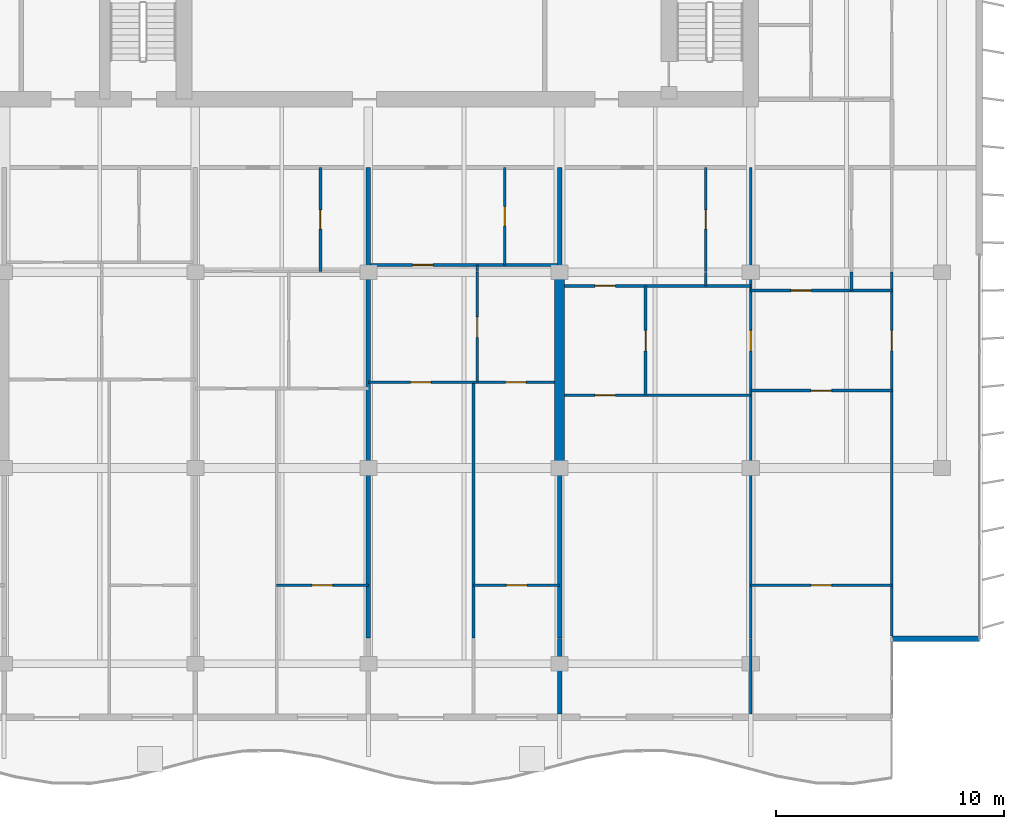
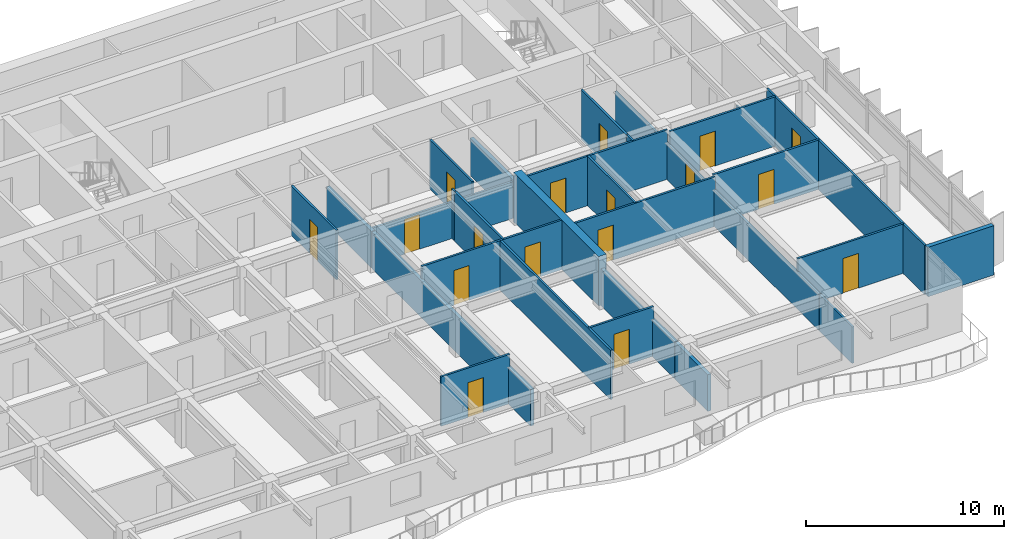
# One storey, part 8 of 16: 29 walls, 17 doors, 17 openings.
"""IFC4 building model written with IfcOpenShell, lengths in metres."""

from ifc_helpers import new_model, si_unit, direction, frame, frame_2d, origin, place, context, subcontext, project, spatial, rectangle, extrude, material, layer, layer_set, type_object, element, fill, save


model = new_model("IFC4")

# Units and contexts
model_context = context("Model", 3, precision=1e-05, world=origin(), true_north=direction((0.0, 1.0)))
body_context = subcontext(model_context, "Body", "Model", "MODEL_VIEW")
ifc_project = project(units=[si_unit("LENGTHUNIT", "METRE"), si_unit("AREAUNIT", "SQUARE_METRE"), si_unit("VOLUMEUNIT", "CUBIC_METRE"), si_unit("PLANEANGLEUNIT", "RADIAN"), si_unit("MASSUNIT", "GRAM", prefix="KILO")], contexts=[model_context])

# Site, building, storey
site_placement = place(None, origin())
site = spatial("IfcSite", under=ifc_project, at=site_placement, CompositionType="ELEMENT")
building_placement = place(site_placement, origin())
building = spatial("IfcBuilding", under=site, at=building_placement, Name="Caelmar Bay Residences", CompositionType="ELEMENT")
storey_placement = place(building_placement, frame((0.0, 0.0, 239.699951171875)))
storey = spatial("IfcBuildingStorey", under=building, at=storey_placement, Name="L67", CompositionType="ELEMENT", Elevation=239.699951171875)

# Walls
ifc_material_1 = material(Name="Concrete f'c 55 MPa (8,000 psi)", Category="concrete")
ifc_layer_1 = layer(ifc_material_1, 0.449951171875)
ifc_layer_set_1 = layer_set([ifc_layer_1], Name="Concrete f'c 55 MPa (8,000 psi)")
wall_type_1 = type_object("IfcWallType", Name="SW-XSLB-450", PredefinedType="SHEAR", material=ifc_layer_set_1)
wall_1_placement = place(storey_placement, frame((51.10009765625, 20.800048828125, 0.0), z_axis=(0.0, 0.0, 1.0), x_axis=(0.0, 1.0, 0.0)))
element("IfcWall", 1, at=wall_1_placement, inside=storey, type_object=wall_type_1, Name="L67 Transverse Cross-Slab Shear Wall E8", PredefinedType="SHEAR", context=body_context, shape_type="SweptSolid", body=[
    extrude(rectangle(XDim=8.599853515625, YDim=0.449951171875, at=frame_2d((4.2998046875, 0.0))), origin(), (0.0, 0.0, 1.0), 3.050048828125),
])
ifc_material_2 = material(Name="Precast concrete f'c 40 MPa (6,000 psi)", Category="concrete")
ifc_layer_2 = layer(ifc_material_2, 0.25)
ifc_layer_set_2 = layer_set([ifc_layer_2], Name="Precast concrete f'c 40 MPa (6,000 psi)")
wall_type_2 = type_object("IfcWallType", Name="W-EXT-250", PredefinedType="ELEMENTEDWALL", material=ifc_layer_set_2)
wall_2_placement = place(storey_placement, frame((65.699951171875, 13.300048828125, 0.0), z_axis=(0.0, 0.0, 1.0), x_axis=(1.0, 0.0, 0.0)))
element("IfcWall", 2, at=wall_2_placement, inside=storey, type_object=wall_type_2, Name="L67 SE Notch Return Wall", PredefinedType="ELEMENTEDWALL", context=body_context, shape_type="SweptSolid", body=[
    extrude(rectangle(XDim=3.85009765625, YDim=0.25, at=frame_2d((1.925048828125, 0.0))), origin(), (0.0, 0.0, 1.0), 3.050048828125),
])

# Wall, opening, door
ifc_material_3 = material(Name="Acoustic metal-stud gypsum partition 120 mm")
ifc_layer_3 = layer(ifc_material_3, 0.1201171875)
ifc_layer_set_3 = layer_set([ifc_layer_3], Name="Acoustic metal-stud gypsum partition 120 mm")
wall_type_3 = type_object("IfcWallType", Name="W-PRT-120", PredefinedType="PARTITIONING", material=ifc_layer_set_3)
wall_3_placement = place(storey_placement, frame((40.594970703125, 29.43994140625, 0.0), z_axis=(0.0, 0.0, 1.0), x_axis=(0.0, 1.0, 0.0)))
wall_3 = element("IfcWall", 3, at=wall_3_placement, inside=storey, type_object=wall_type_3, Name="L67 Partition Wall V032", PredefinedType="PARTITIONING", context=body_context, shape_type="SweptSolid", body=[
    extrude(rectangle(XDim=4.56005859375, YDim=0.1201171875, at=frame_2d((2.280029296875, 0.0))), origin(), (0.0, 0.0, 1.0), 3.050048828125),
])
opening_1_placement = place(wall_3_placement, frame((1.85498046875, 0.0, 0.0)))
opening_1 = element("IfcOpeningElement", 4, at=opening_1_placement, cuts=wall_3, Name="Opening D-L67-137", PredefinedType="OPENING", context=body_context, shape_type="SweptSolid", body=[
    extrude(rectangle(XDim=0.85009765625, YDim=2.10009765625, at=frame_2d((0.425048828125, 1.050048828125))), frame((0.0, 0.070068359375, 0.0), z_axis=(0.0, -1.0, 0.0), x_axis=(1.0, 0.0, 0.0)), (0.0, 0.0, 1.0), 0.14013671875),
])
ifc_material_4 = material(Name="Solid walnut timber interior door leaf and frame", Category="wood")
ifc_layer_4 = layer(ifc_material_4, 0.050048828125)
ifc_layer_set_4 = layer_set([ifc_layer_4], Name="Solid walnut timber interior door leaf and frame")
door_type_1 = type_object("IfcDoorType", Name="D-BATH-850", OperationType="NOTDEFINED", PredefinedType="DOOR", material=ifc_layer_set_4)
door_1_placement = place(opening_1_placement, origin())
door_1 = element("IfcDoor", 5, at=door_1_placement, inside=storey, type_object=door_type_1, Name="L67 Residence 03 Bathroom Door", OperationType="SINGLE_SWING_RIGHT", OverallHeight=2.10009765625, OverallWidth=0.85009765625, PredefinedType="DOOR", context=body_context, shape_type="SweptSolid", body=[
    extrude(rectangle(XDim=0.85009765625, YDim=2.10009765625, at=frame_2d((0.425048828125, 1.050048828125))), frame((0.0, 0.02490234375, 0.0), z_axis=(0.0, -1.0, 0.0), x_axis=(1.0, 0.0, 0.0)), (0.0, 0.0, 1.0), 0.050048828125),
])
fill(opening_1, door_1)

# Wall
wall_4_placement = place(storey_placement, frame((47.320068359375, 13.340087890625, 0.0), z_axis=(0.0, 0.0, 1.0), x_axis=(0.0, 1.0, 0.0)))
element("IfcWall", 6, at=wall_4_placement, inside=storey, type_object=wall_type_3, Name="L67 Partition Wall V038", PredefinedType="PARTITIONING", context=body_context, shape_type="SweptSolid", body=[
    extrude(rectangle(XDim=11.22998046875, YDim=0.1201171875, at=frame_2d((5.614990234375, 0.0))), origin(), (0.0, 0.0, 1.0), 3.050048828125),
])

# Wall, opening, door
wall_5_placement = place(storey_placement, frame((47.486083984375, 24.574951171875, 0.0), z_axis=(0.0, 0.0, 1.0), x_axis=(0.0, 1.0, 0.0)))
wall_5 = element("IfcWall", 7, at=wall_5_placement, inside=storey, type_object=wall_type_3, Name="L67 Partition Wall V039", PredefinedType="PARTITIONING", context=body_context, shape_type="SweptSolid", body=[
    extrude(rectangle(XDim=4.824951171875, YDim=0.1201171875, at=frame_2d((2.41259765625, 0.0))), origin(), (0.0, 0.0, 1.0), 3.050048828125),
])
opening_2_placement = place(wall_5_placement, frame((1.96240234375, 0.0, 0.0)))
opening_2 = element("IfcOpeningElement", 8, at=opening_2_placement, cuts=wall_5, Name="Opening D-L67-146", PredefinedType="OPENING", context=body_context, shape_type="SweptSolid", body=[
    extrude(rectangle(XDim=0.89990234375, YDim=2.14990234375, at=frame_2d((0.449951171875, 1.074951171875))), frame((0.0, 0.070068359375, 0.0), z_axis=(0.0, -1.0, 0.0), x_axis=(1.0, 0.0, 0.0)), (0.0, 0.0, 1.0), 0.14013671875),
])
ifc_layer_5 = layer(ifc_material_4, 0.050048828125)
ifc_layer_set_5 = layer_set([ifc_layer_5], Name="Solid walnut timber interior door leaf and frame")
door_type_2 = type_object("IfcDoorType", Name="D-ROOM-900", OperationType="NOTDEFINED", PredefinedType="DOOR", material=ifc_layer_set_5)
door_2_placement = place(opening_2_placement, origin())
door_2 = element("IfcDoor", 9, at=door_2_placement, inside=storey, type_object=door_type_2, Name="L67 Residence 04 Home Office Door", OperationType="SINGLE_SWING_LEFT", OverallHeight=2.14990234375, OverallWidth=0.89990234375, PredefinedType="DOOR", context=body_context, shape_type="SweptSolid", body=[
    extrude(rectangle(XDim=0.89990234375, YDim=2.14990234375, at=frame_2d((0.449951171875, 1.074951171875))), frame((0.0, 0.02490234375, 0.0), z_axis=(0.0, -1.0, 0.0), x_axis=(1.0, 0.0, 0.0)), (0.0, 0.0, 1.0), 0.050048828125),
])
fill(opening_2, door_2)

# Wall
wall_6_placement = place(storey_placement, frame((47.486083984375, 29.43994140625, 0.0), z_axis=(0.0, 0.0, 1.0), x_axis=(0.0, 1.0, 0.0)))
element("IfcWall", 10, at=wall_6_placement, inside=storey, type_object=wall_type_3, Name="L67 Partition Wall V040", PredefinedType="PARTITIONING", context=body_context, shape_type="SweptSolid", body=[
    extrude(rectangle(XDim=0.280029296875, YDim=0.1201171875, at=frame_2d((0.14013671875, 0.0))), origin(), (0.0, 0.0, 1.0), 3.050048828125),
])

# Wall, opening, door
wall_7_placement = place(storey_placement, frame((48.693115234375, 29.719970703125, 0.0), z_axis=(0.0, 0.0, 1.0), x_axis=(0.0, 1.0, 0.0)))
wall_7 = element("IfcWall", 11, at=wall_7_placement, inside=storey, type_object=wall_type_3, Name="L67 Partition Wall V042", PredefinedType="PARTITIONING", context=body_context, shape_type="SweptSolid", body=[
    extrude(rectangle(XDim=4.280029296875, YDim=0.1201171875, at=frame_2d((2.14013671875, 0.0))), origin(), (0.0, 0.0, 1.0), 3.050048828125),
])
opening_3_placement = place(wall_7_placement, frame((1.715087890625, 0.0, 0.0)))
opening_3 = element("IfcOpeningElement", 12, at=opening_3_placement, cuts=wall_7, Name="Opening D-L67-144", PredefinedType="OPENING", context=body_context, shape_type="SweptSolid", body=[
    extrude(rectangle(XDim=0.85009765625, YDim=2.10009765625, at=frame_2d((0.425048828125, 1.050048828125))), frame((0.0, 0.070068359375, 0.0), z_axis=(0.0, -1.0, 0.0), x_axis=(1.0, 0.0, 0.0)), (0.0, 0.0, 1.0), 0.14013671875),
])
door_3_placement = place(opening_3_placement, origin())
door_3 = element("IfcDoor", 13, at=door_3_placement, inside=storey, type_object=door_type_1, Name="L67 Residence 04 Bathroom Door", OperationType="SINGLE_SWING_LEFT", OverallHeight=2.10009765625, OverallWidth=0.85009765625, PredefinedType="DOOR", context=body_context, shape_type="SweptSolid", body=[
    extrude(rectangle(XDim=0.85009765625, YDim=2.10009765625, at=frame_2d((0.425048828125, 1.050048828125))), frame((0.0, 0.02490234375, 0.0), z_axis=(0.0, -1.0, 0.0), x_axis=(1.0, 0.0, 0.0)), (0.0, 0.0, 1.0), 0.050048828125),
])
fill(opening_3, door_3)

wall_8_placement = place(storey_placement, frame((54.8798828125, 24.0, 0.0), z_axis=(0.0, 0.0, 1.0), x_axis=(0.0, 1.0, 0.0)))
wall_8 = element("IfcWall", 14, at=wall_8_placement, inside=storey, type_object=wall_type_3, Name="L67 Partition Wall V049", PredefinedType="PARTITIONING", context=body_context, shape_type="SweptSolid", body=[
    extrude(rectangle(XDim=4.800048828125, YDim=0.1201171875, at=frame_2d((2.39990234375, 0.0))), origin(), (0.0, 0.0, 1.0), 3.050048828125),
])
opening_4_placement = place(wall_8_placement, frame((1.949951171875, 0.0, 0.0)))
opening_4 = element("IfcOpeningElement", 15, at=opening_4_placement, cuts=wall_8, Name="Opening D-L67-153", PredefinedType="OPENING", context=body_context, shape_type="SweptSolid", body=[
    extrude(rectangle(XDim=0.89990234375, YDim=2.14990234375, at=frame_2d((0.449951171875, 1.074951171875))), frame((0.0, 0.070068359375, 0.0), z_axis=(0.0, -1.0, 0.0), x_axis=(1.0, 0.0, 0.0)), (0.0, 0.0, 1.0), 0.14013671875),
])
door_4_placement = place(opening_4_placement, origin())
door_4 = element("IfcDoor", 16, at=door_4_placement, inside=storey, type_object=door_type_2, Name="L67 Residence 05 Kitchen Door", OperationType="SINGLE_SWING_RIGHT", OverallHeight=2.14990234375, OverallWidth=0.89990234375, PredefinedType="DOOR", context=body_context, shape_type="SweptSolid", body=[
    extrude(rectangle(XDim=0.89990234375, YDim=2.14990234375, at=frame_2d((0.449951171875, 1.074951171875))), frame((0.0, 0.02490234375, 0.0), z_axis=(0.0, -1.0, 0.0), x_axis=(1.0, 0.0, 0.0)), (0.0, 0.0, 1.0), 0.050048828125),
])
fill(opening_4, door_4)

# Wall
wall_9_placement = place(storey_placement, frame((57.51904296875, 28.800048828125, 0.0), z_axis=(0.0, 0.0, 1.0), x_axis=(0.0, 1.0, 0.0)))
element("IfcWall", 17, at=wall_9_placement, inside=storey, type_object=wall_type_3, Name="L67 Partition Wall V051", PredefinedType="PARTITIONING", context=body_context, shape_type="SweptSolid", body=[
    extrude(rectangle(XDim=0.599853515625, YDim=0.1201171875, at=frame_2d((0.2998046875, 0.0))), origin(), (0.0, 0.0, 1.0), 3.050048828125),
])

# Wall, opening, door
wall_10_placement = place(storey_placement, frame((57.51904296875, 29.43994140625, 0.0), z_axis=(0.0, 0.0, 1.0), x_axis=(0.0, 1.0, 0.0)))
wall_10 = element("IfcWall", 18, at=wall_10_placement, inside=storey, type_object=wall_type_3, Name="L67 Partition Wall V052", PredefinedType="PARTITIONING", context=body_context, shape_type="SweptSolid", body=[
    extrude(rectangle(XDim=4.56005859375, YDim=0.1201171875, at=frame_2d((2.280029296875, 0.0))), origin(), (0.0, 0.0, 1.0), 3.050048828125),
])
opening_5_placement = place(wall_10_placement, frame((1.85498046875, 0.0, 0.0)))
opening_5 = element("IfcOpeningElement", 19, at=opening_5_placement, cuts=wall_10, Name="Opening D-L67-151", PredefinedType="OPENING", context=body_context, shape_type="SweptSolid", body=[
    extrude(rectangle(XDim=0.85009765625, YDim=2.10009765625, at=frame_2d((0.425048828125, 1.050048828125))), frame((0.0, 0.070068359375, 0.0), z_axis=(0.0, -1.0, 0.0), x_axis=(1.0, 0.0, 0.0)), (0.0, 0.0, 1.0), 0.14013671875),
])
door_5_placement = place(opening_5_placement, origin())
door_5 = element("IfcDoor", 20, at=door_5_placement, inside=storey, type_object=door_type_1, Name="L67 Residence 05 Guest Bathroom Door", OperationType="SINGLE_SWING_RIGHT", OverallHeight=2.10009765625, OverallWidth=0.85009765625, PredefinedType="DOOR", context=body_context, shape_type="SweptSolid", body=[
    extrude(rectangle(XDim=0.85009765625, YDim=2.10009765625, at=frame_2d((0.425048828125, 1.050048828125))), frame((0.0, 0.02490234375, 0.0), z_axis=(0.0, -1.0, 0.0), x_axis=(1.0, 0.0, 0.0)), (0.0, 0.0, 1.0), 0.050048828125),
])
fill(opening_5, door_5)

# Wall
wall_11_placement = place(storey_placement, frame((59.5, 9.9951171875, 0.0), z_axis=(0.0, 0.0, 1.0), x_axis=(0.0, 1.0, 0.0)))
element("IfcWall", 21, at=wall_11_placement, inside=storey, type_object=wall_type_3, Name="L67 Partition Wall V053", PredefinedType="PARTITIONING", context=body_context, shape_type="SweptSolid", body=[
    extrude(rectangle(XDim=3.304931640625, YDim=0.1201171875, at=frame_2d((1.65234375, 0.0))), origin(), (0.0, 0.0, 1.0), 2.262939453125),
])

# Wall, opening, door
wall_12_placement = place(storey_placement, frame((59.5, 13.340087890625, 0.0), z_axis=(0.0, 0.0, 1.0), x_axis=(0.0, 1.0, 0.0)))
wall_12 = element("IfcWall", 22, at=wall_12_placement, inside=storey, type_object=wall_type_3, Name="L67 Partition Wall V054", PredefinedType="PARTITIONING", context=body_context, shape_type="SweptSolid", body=[
    extrude(rectangle(XDim=16.059814453125, YDim=0.1201171875, at=frame_2d((8.02978515625, 0.0))), origin(), (0.0, 0.0, 1.0), 2.262939453125),
])
opening_6_placement = place(wall_12_placement, frame((12.610107421875, 0.0, 0.0)))
opening_6 = element("IfcOpeningElement", 23, at=opening_6_placement, cuts=wall_12, Name="Opening D-L67-155", PredefinedType="OPENING", context=body_context, shape_type="SweptSolid", body=[
    extrude(rectangle(XDim=0.89990234375, YDim=2.14990234375, at=frame_2d((0.449951171875, 1.074951171875))), frame((0.0, 0.070068359375, 0.0), z_axis=(0.0, -1.0, 0.0), x_axis=(1.0, 0.0, 0.0)), (0.0, 0.0, 1.0), 0.14013671875),
])
door_6_placement = place(opening_6_placement, origin())
door_6 = element("IfcDoor", 24, at=door_6_placement, inside=storey, type_object=door_type_2, Name="L67 Residence 05 Library Study 1 Door", OperationType="SINGLE_SWING_RIGHT", OverallHeight=2.14990234375, OverallWidth=0.89990234375, PredefinedType="DOOR", context=body_context, shape_type="SweptSolid", body=[
    extrude(rectangle(XDim=0.89990234375, YDim=2.14990234375, at=frame_2d((0.449951171875, 1.074951171875))), frame((0.0, 0.02490234375, 0.0), z_axis=(0.0, -1.0, 0.0), x_axis=(1.0, 0.0, 0.0)), (0.0, 0.0, 1.0), 0.050048828125),
])
fill(opening_6, door_6)

# Walls
wall_13_placement = place(storey_placement, frame((59.5, 29.43994140625, 0.0), z_axis=(0.0, 0.0, 1.0), x_axis=(0.0, 1.0, 0.0)))
element("IfcWall", 25, at=wall_13_placement, inside=storey, type_object=wall_type_3, Name="L67 Partition Wall V055", PredefinedType="PARTITIONING", context=body_context, shape_type="SweptSolid", body=[
    extrude(rectangle(XDim=4.56005859375, YDim=0.1201171875, at=frame_2d((2.280029296875, 0.0))), origin(), (0.0, 0.0, 1.0), 2.262939453125),
])
wall_14_placement = place(storey_placement, frame((63.922119140625, 28.60009765625, 0.0), z_axis=(0.0, 0.0, 1.0), x_axis=(0.0, 1.0, 0.0)))
element("IfcWall", 26, at=wall_14_placement, inside=storey, type_object=wall_type_3, Name="L67 Partition Wall V057", PredefinedType="PARTITIONING", context=body_context, shape_type="SweptSolid", body=[
    extrude(rectangle(XDim=0.7998046875, YDim=0.1201171875, at=frame_2d((0.39990234375, 0.0))), origin(), (0.0, 0.0, 1.0), 2.629150390625),
])

# Wall, opening, door
wall_15_placement = place(storey_placement, frame((65.699951171875, 13.419921875, 0.0), z_axis=(0.0, 0.0, 1.0), x_axis=(0.0, 1.0, 0.0)))
wall_15 = element("IfcWall", 27, at=wall_15_placement, inside=storey, type_object=wall_type_3, Name="L67 Partition Wall V059", PredefinedType="PARTITIONING", context=body_context, shape_type="SweptSolid", body=[
    extrude(rectangle(XDim=15.97998046875, YDim=0.1201171875, at=frame_2d((7.989990234375, 0.0))), origin(), (0.0, 0.0, 1.0), 3.050048828125),
])
opening_7_placement = place(wall_15_placement, frame((12.530029296875, 0.0, 0.0)))
opening_7 = element("IfcOpeningElement", 28, at=opening_7_placement, cuts=wall_15, Name="Opening D-L67-161", PredefinedType="OPENING", context=body_context, shape_type="SweptSolid", body=[
    extrude(rectangle(XDim=0.89990234375, YDim=2.14990234375, at=frame_2d((0.449951171875, 1.074951171875))), frame((0.0, 0.070068359375, 0.0), z_axis=(0.0, -1.0, 0.0), x_axis=(1.0, 0.0, 0.0)), (0.0, 0.0, 1.0), 0.14013671875),
])
door_7_placement = place(opening_7_placement, origin())
door_7 = element("IfcDoor", 29, at=door_7_placement, inside=storey, type_object=door_type_2, Name="L67 Residence 05 Penthouse East Salon Door", OperationType="SINGLE_SWING_RIGHT", OverallHeight=2.14990234375, OverallWidth=0.89990234375, PredefinedType="DOOR", context=body_context, shape_type="SweptSolid", body=[
    extrude(rectangle(XDim=0.89990234375, YDim=2.14990234375, at=frame_2d((0.449951171875, 1.074951171875))), frame((0.0, 0.02490234375, 0.0), z_axis=(0.0, -1.0, 0.0), x_axis=(1.0, 0.0, 0.0)), (0.0, 0.0, 1.0), 0.050048828125),
])
fill(opening_7, door_7)

wall_16_placement = place(storey_placement, frame((38.672119140625, 15.64990234375, 0.0), z_axis=(0.0, 0.0, 1.0), x_axis=(1.0, 0.0, 0.0)))
wall_16 = element("IfcWall", 30, at=wall_16_placement, inside=storey, type_object=wall_type_3, Name="L67 Partition Wall H065", PredefinedType="PARTITIONING", context=body_context, shape_type="SweptSolid", body=[
    extrude(rectangle(XDim=4.02783203125, YDim=0.1201171875, at=frame_2d((2.013916015625, 0.0))), origin(), (0.0, 0.0, 1.0), 3.050048828125),
])
opening_8_placement = place(wall_16_placement, frame((1.56396484375, 0.0, 0.0)))
opening_8 = element("IfcOpeningElement", 31, at=opening_8_placement, cuts=wall_16, Name="Opening D-L67-142", PredefinedType="OPENING", context=body_context, shape_type="SweptSolid", body=[
    extrude(rectangle(XDim=0.89990234375, YDim=2.14990234375, at=frame_2d((0.449951171875, 1.074951171875))), frame((0.0, 0.070068359375, 0.0), z_axis=(0.0, -1.0, 0.0), x_axis=(1.0, 0.0, 0.0)), (0.0, 0.0, 1.0), 0.14013671875),
])
door_8_placement = place(opening_8_placement, origin())
door_8 = element("IfcDoor", 32, at=door_8_placement, inside=storey, type_object=door_type_2, Name="L67 Residence 03 Primary Bedroom Door", OperationType="SINGLE_SWING_LEFT", OverallHeight=2.14990234375, OverallWidth=0.89990234375, PredefinedType="DOOR", context=body_context, shape_type="SweptSolid", body=[
    extrude(rectangle(XDim=0.89990234375, YDim=2.14990234375, at=frame_2d((0.449951171875, 1.074951171875))), frame((0.0, 0.02490234375, 0.0), z_axis=(0.0, -1.0, 0.0), x_axis=(1.0, 0.0, 0.0)), (0.0, 0.0, 1.0), 0.050048828125),
])
fill(opening_8, door_8)

wall_17_placement = place(storey_placement, frame((47.320068359375, 15.64990234375, 0.0), z_axis=(0.0, 0.0, 1.0), x_axis=(1.0, 0.0, 0.0)))
wall_17 = element("IfcWall", 33, at=wall_17_placement, inside=storey, type_object=wall_type_3, Name="L67 Partition Wall H066", PredefinedType="PARTITIONING", context=body_context, shape_type="SweptSolid", body=[
    extrude(rectangle(XDim=3.780029296875, YDim=0.1201171875, at=frame_2d((1.89013671875, 0.0))), origin(), (0.0, 0.0, 1.0), 3.050048828125),
])
opening_9_placement = place(wall_17_placement, frame((1.43994140625, 0.0, 0.0)))
opening_9 = element("IfcOpeningElement", 34, at=opening_9_placement, cuts=wall_17, Name="Opening D-L67-149", PredefinedType="OPENING", context=body_context, shape_type="SweptSolid", body=[
    extrude(rectangle(XDim=0.89990234375, YDim=2.14990234375, at=frame_2d((0.449951171875, 1.074951171875))), frame((0.0, 0.070068359375, 0.0), z_axis=(0.0, -1.0, 0.0), x_axis=(1.0, 0.0, 0.0)), (0.0, 0.0, 1.0), 0.14013671875),
])
door_9_placement = place(opening_9_placement, origin())
door_9 = element("IfcDoor", 35, at=door_9_placement, inside=storey, type_object=door_type_2, Name="L67 Residence 04 Primary Bedroom Door", OperationType="SINGLE_SWING_RIGHT", OverallHeight=2.14990234375, OverallWidth=0.89990234375, PredefinedType="DOOR", context=body_context, shape_type="SweptSolid", body=[
    extrude(rectangle(XDim=0.89990234375, YDim=2.14990234375, at=frame_2d((0.449951171875, 1.074951171875))), frame((0.0, 0.02490234375, 0.0), z_axis=(0.0, -1.0, 0.0), x_axis=(1.0, 0.0, 0.0)), (0.0, 0.0, 1.0), 0.050048828125),
])
fill(opening_9, door_9)

wall_18_placement = place(storey_placement, frame((59.5, 15.64990234375, 0.0), z_axis=(0.0, 0.0, 1.0), x_axis=(1.0, 0.0, 0.0)))
wall_18 = element("IfcWall", 36, at=wall_18_placement, inside=storey, type_object=wall_type_3, Name="L67 Partition Wall H067", PredefinedType="PARTITIONING", context=body_context, shape_type="SweptSolid", body=[
    extrude(rectangle(XDim=6.199951171875, YDim=0.1201171875, at=frame_2d((3.10009765625, 0.0))), origin(), (0.0, 0.0, 1.0), 3.050048828125),
])
opening_10_placement = place(wall_18_placement, frame((2.64990234375, 0.0, 0.0)))
opening_10 = element("IfcOpeningElement", 37, at=opening_10_placement, cuts=wall_18, Name="Opening D-L67-159", PredefinedType="OPENING", context=body_context, shape_type="SweptSolid", body=[
    extrude(rectangle(XDim=0.89990234375, YDim=2.14990234375, at=frame_2d((0.449951171875, 1.074951171875))), frame((0.0, 0.070068359375, 0.0), z_axis=(0.0, -1.0, 0.0), x_axis=(1.0, 0.0, 0.0)), (0.0, 0.0, 1.0), 0.14013671875),
])
door_10_placement = place(opening_10_placement, origin())
door_10 = element("IfcDoor", 38, at=door_10_placement, inside=storey, type_object=door_type_2, Name="L67 Residence 05 Primary Bedroom 1 Door", OperationType="SINGLE_SWING_RIGHT", OverallHeight=2.14990234375, OverallWidth=0.89990234375, PredefinedType="DOOR", context=body_context, shape_type="SweptSolid", body=[
    extrude(rectangle(XDim=0.89990234375, YDim=2.14990234375, at=frame_2d((0.449951171875, 1.074951171875))), frame((0.0, 0.02490234375, 0.0), z_axis=(0.0, -1.0, 0.0), x_axis=(1.0, 0.0, 0.0)), (0.0, 0.0, 1.0), 0.050048828125),
])
fill(opening_10, door_10)

wall_19_placement = place(storey_placement, frame((51.320068359375, 24.0, 0.0), z_axis=(0.0, 0.0, 1.0), x_axis=(1.0, 0.0, 0.0)))
wall_19 = element("IfcWall", 39, at=wall_19_placement, inside=storey, type_object=wall_type_3, Name="L67 Partition Wall H069", PredefinedType="PARTITIONING", context=body_context, shape_type="SweptSolid", body=[
    extrude(rectangle(XDim=8.179931640625, YDim=0.1201171875, at=frame_2d((4.08984375, 0.0))), origin(), (0.0, 0.0, 1.0), 3.050048828125),
])
opening_11_placement = place(wall_19_placement, frame((1.330078125, 0.0, 0.0)))
opening_11 = element("IfcOpeningElement", 40, at=opening_11_placement, cuts=wall_19, Name="Opening D-L67-154", PredefinedType="OPENING", context=body_context, shape_type="SweptSolid", body=[
    extrude(rectangle(XDim=0.89990234375, YDim=2.14990234375, at=frame_2d((0.449951171875, 1.074951171875))), frame((0.0, 0.070068359375, 0.0), z_axis=(0.0, -1.0, 0.0), x_axis=(1.0, 0.0, 0.0)), (0.0, 0.0, 1.0), 0.14013671875),
])
door_11_placement = place(opening_11_placement, origin())
door_11 = element("IfcDoor", 41, at=door_11_placement, inside=storey, type_object=door_type_2, Name="L67 Residence 05 Penthouse Living Salon Door", OperationType="SINGLE_SWING_LEFT", OverallHeight=2.14990234375, OverallWidth=0.89990234375, PredefinedType="DOOR", context=body_context, shape_type="SweptSolid", body=[
    extrude(rectangle(XDim=0.89990234375, YDim=2.14990234375, at=frame_2d((0.449951171875, 1.074951171875))), frame((0.0, 0.02490234375, 0.0), z_axis=(0.0, -1.0, 0.0), x_axis=(1.0, 0.0, 0.0)), (0.0, 0.0, 1.0), 0.050048828125),
])
fill(opening_11, door_11)

wall_20_placement = place(storey_placement, frame((59.5048828125, 24.199951171875, 0.0), z_axis=(0.0, 0.0, 1.0), x_axis=(1.0, 0.0, 0.0)))
wall_20 = element("IfcWall", 42, at=wall_20_placement, inside=storey, type_object=wall_type_3, Name="L67 Partition Wall H071", PredefinedType="PARTITIONING", context=body_context, shape_type="SweptSolid", body=[
    extrude(rectangle(XDim=6.195068359375, YDim=0.1201171875, at=frame_2d((3.09765625, 0.0))), origin(), (0.0, 0.0, 1.0), 3.050048828125),
])
opening_12_placement = place(wall_20_placement, frame((2.6474609375, 0.0, 0.0)))
opening_12 = element("IfcOpeningElement", 43, at=opening_12_placement, cuts=wall_20, Name="Opening D-L67-158", PredefinedType="OPENING", context=body_context, shape_type="SweptSolid", body=[
    extrude(rectangle(XDim=0.89990234375, YDim=2.14990234375, at=frame_2d((0.449951171875, 1.074951171875))), frame((0.0, 0.070068359375, 0.0), z_axis=(0.0, -1.0, 0.0), x_axis=(1.0, 0.0, 0.0)), (0.0, 0.0, 1.0), 0.14013671875),
])
door_12_placement = place(opening_12_placement, origin())
door_12 = element("IfcDoor", 44, at=door_12_placement, inside=storey, type_object=door_type_2, Name="L67 Residence 05 Penthouse Sitting Salon 1 Door", OperationType="SINGLE_SWING_LEFT", OverallHeight=2.14990234375, OverallWidth=0.89990234375, PredefinedType="DOOR", context=body_context, shape_type="SweptSolid", body=[
    extrude(rectangle(XDim=0.89990234375, YDim=2.14990234375, at=frame_2d((0.449951171875, 1.074951171875))), frame((0.0, 0.02490234375, 0.0), z_axis=(0.0, -1.0, 0.0), x_axis=(1.0, 0.0, 0.0)), (0.0, 0.0, 1.0), 0.050048828125),
])
fill(opening_12, door_12)

# Wall, openings, doors
wall_21_placement = place(storey_placement, frame((42.699951171875, 24.570068359375, 0.0), z_axis=(0.0, 0.0, 1.0), x_axis=(1.0, 0.0, 0.0)))
wall_21 = element("IfcWall", 45, at=wall_21_placement, inside=storey, type_object=wall_type_3, Name="L67 Partition Wall H073", PredefinedType="PARTITIONING", context=body_context, shape_type="SweptSolid", body=[
    extrude(rectangle(XDim=8.179931640625, YDim=0.1201171875, at=frame_2d((4.08984375, 0.0))), origin(), (0.0, 0.0, 1.0), 3.050048828125),
])
opening_13_placement = place(wall_21_placement, frame((1.860107421875, 0.0, 0.0)))
opening_13 = element("IfcOpeningElement", 46, at=opening_13_placement, cuts=wall_21, Name="Opening D-L67-147", PredefinedType="OPENING", context=body_context, shape_type="SweptSolid", body=[
    extrude(rectangle(XDim=0.89990234375, YDim=2.14990234375, at=frame_2d((0.449951171875, 1.074951171875))), frame((0.0, 0.070068359375, 0.0), z_axis=(0.0, -1.0, 0.0), x_axis=(1.0, 0.0, 0.0)), (0.0, 0.0, 1.0), 0.14013671875),
])
opening_14_placement = place(wall_21_placement, frame((6.032958984375, 0.0, 0.0)))
opening_14 = element("IfcOpeningElement", 47, at=opening_14_placement, cuts=wall_21, Name="Opening D-L67-148", PredefinedType="OPENING", context=body_context, shape_type="SweptSolid", body=[
    extrude(rectangle(XDim=0.89990234375, YDim=2.14990234375, at=frame_2d((0.449951171875, 1.074951171875))), frame((0.0, 0.070068359375, 0.0), z_axis=(0.0, -1.0, 0.0), x_axis=(1.0, 0.0, 0.0)), (0.0, 0.0, 1.0), 0.14013671875),
])
door_13_placement = place(opening_13_placement, origin())
door_13 = element("IfcDoor", 48, at=door_13_placement, inside=storey, type_object=door_type_2, Name="L67 Residence 04 Living Room Door", OperationType="SINGLE_SWING_RIGHT", OverallHeight=2.14990234375, OverallWidth=0.89990234375, PredefinedType="DOOR", context=body_context, shape_type="SweptSolid", body=[
    extrude(rectangle(XDim=0.89990234375, YDim=2.14990234375, at=frame_2d((0.449951171875, 1.074951171875))), frame((0.0, 0.02490234375, 0.0), z_axis=(0.0, -1.0, 0.0), x_axis=(1.0, 0.0, 0.0)), (0.0, 0.0, 1.0), 0.050048828125),
])
fill(opening_13, door_13)
door_14_placement = place(opening_14_placement, origin())
door_14 = element("IfcDoor", 49, at=door_14_placement, inside=storey, type_object=door_type_2, Name="L67 Residence 04 Bedroom 2 Door", OperationType="SINGLE_SWING_LEFT", OverallHeight=2.14990234375, OverallWidth=0.89990234375, PredefinedType="DOOR", context=body_context, shape_type="SweptSolid", body=[
    extrude(rectangle(XDim=0.89990234375, YDim=2.14990234375, at=frame_2d((0.449951171875, 1.074951171875))), frame((0.0, 0.02490234375, 0.0), z_axis=(0.0, -1.0, 0.0), x_axis=(1.0, 0.0, 0.0)), (0.0, 0.0, 1.0), 0.050048828125),
])
fill(opening_14, door_14)

# Wall, opening, door
wall_22_placement = place(storey_placement, frame((59.5, 28.60009765625, 0.0), z_axis=(0.0, 0.0, 1.0), x_axis=(1.0, 0.0, 0.0)))
wall_22 = element("IfcWall", 50, at=wall_22_placement, inside=storey, type_object=wall_type_3, Name="L67 Partition Wall H076", PredefinedType="PARTITIONING", context=body_context, shape_type="SweptSolid", body=[
    extrude(rectangle(XDim=6.199951171875, YDim=0.1201171875, at=frame_2d((3.10009765625, 0.0))), origin(), (0.0, 0.0, 1.0), 3.050048828125),
])
opening_15_placement = place(wall_22_placement, frame((1.760986328125, 0.0, 0.0)))
opening_15 = element("IfcOpeningElement", 51, at=opening_15_placement, cuts=wall_22, Name="Opening D-L67-156", PredefinedType="OPENING", context=body_context, shape_type="SweptSolid", body=[
    extrude(rectangle(XDim=0.89990234375, YDim=2.14990234375, at=frame_2d((0.449951171875, 1.074951171875))), frame((0.0, 0.070068359375, 0.0), z_axis=(0.0, -1.0, 0.0), x_axis=(1.0, 0.0, 0.0)), (0.0, 0.0, 1.0), 0.14013671875),
])
door_15_placement = place(opening_15_placement, origin())
door_15 = element("IfcDoor", 52, at=door_15_placement, inside=storey, type_object=door_type_2, Name="L67 Residence 05 Home Office 1 Door", OperationType="SINGLE_SWING_LEFT", OverallHeight=2.14990234375, OverallWidth=0.89990234375, PredefinedType="DOOR", context=body_context, shape_type="SweptSolid", body=[
    extrude(rectangle(XDim=0.89990234375, YDim=2.14990234375, at=frame_2d((0.449951171875, 1.074951171875))), frame((0.0, 0.02490234375, 0.0), z_axis=(0.0, -1.0, 0.0), x_axis=(1.0, 0.0, 0.0)), (0.0, 0.0, 1.0), 0.050048828125),
])
fill(opening_15, door_15)

wall_23_placement = place(storey_placement, frame((51.320068359375, 28.800048828125, 0.0), z_axis=(0.0, 0.0, 1.0), x_axis=(1.0, 0.0, 0.0)))
wall_23 = element("IfcWall", 53, at=wall_23_placement, inside=storey, type_object=wall_type_3, Name="L67 Partition Wall H078", PredefinedType="PARTITIONING", context=body_context, shape_type="SweptSolid", body=[
    extrude(rectangle(XDim=8.175048828125, YDim=0.1201171875, at=frame_2d((4.08740234375, 0.0))), origin(), (0.0, 0.0, 1.0), 3.050048828125),
])
opening_16_placement = place(wall_23_placement, frame((1.330078125, 0.0, 0.0)))
opening_16 = element("IfcOpeningElement", 54, at=opening_16_placement, cuts=wall_23, Name="Opening D-L67-152", PredefinedType="OPENING", context=body_context, shape_type="SweptSolid", body=[
    extrude(rectangle(XDim=0.89990234375, YDim=2.14990234375, at=frame_2d((0.449951171875, 1.074951171875))), frame((0.0, 0.070068359375, 0.0), z_axis=(0.0, -1.0, 0.0), x_axis=(1.0, 0.0, 0.0)), (0.0, 0.0, 1.0), 0.14013671875),
])
door_16_placement = place(opening_16_placement, origin())
door_16 = element("IfcDoor", 55, at=door_16_placement, inside=storey, type_object=door_type_2, Name="L67 Residence 05 Dining Room Door", OperationType="SINGLE_SWING_LEFT", OverallHeight=2.14990234375, OverallWidth=0.89990234375, PredefinedType="DOOR", context=body_context, shape_type="SweptSolid", body=[
    extrude(rectangle(XDim=0.89990234375, YDim=2.14990234375, at=frame_2d((0.449951171875, 1.074951171875))), frame((0.0, 0.02490234375, 0.0), z_axis=(0.0, -1.0, 0.0), x_axis=(1.0, 0.0, 0.0)), (0.0, 0.0, 1.0), 0.050048828125),
])
fill(opening_16, door_16)

wall_24_placement = place(storey_placement, frame((42.699951171875, 29.719970703125, 0.0), z_axis=(0.0, 0.0, 1.0), x_axis=(1.0, 0.0, 0.0)))
wall_24 = element("IfcWall", 56, at=wall_24_placement, inside=storey, type_object=wall_type_3, Name="L67 Partition Wall H080", PredefinedType="PARTITIONING", context=body_context, shape_type="SweptSolid", body=[
    extrude(rectangle(XDim=8.400146484375, YDim=0.1201171875, at=frame_2d((4.2001953125, 0.0))), origin(), (0.0, 0.0, 1.0), 2.262939453125),
])
opening_17_placement = place(wall_24_placement, frame((1.943115234375, 0.0, 0.0)))
opening_17 = element("IfcOpeningElement", 57, at=opening_17_placement, cuts=wall_24, Name="Opening D-L67-145", PredefinedType="OPENING", context=body_context, shape_type="SweptSolid", body=[
    extrude(rectangle(XDim=0.89990234375, YDim=2.14990234375, at=frame_2d((0.449951171875, 1.074951171875))), frame((0.0, 0.070068359375, 0.0), z_axis=(0.0, -1.0, 0.0), x_axis=(1.0, 0.0, 0.0)), (0.0, 0.0, 1.0), 0.14013671875),
])
door_17_placement = place(opening_17_placement, origin())
door_17 = element("IfcDoor", 58, at=door_17_placement, inside=storey, type_object=door_type_2, Name="L67 Residence 04 Kitchen Door", OperationType="SINGLE_SWING_RIGHT", OverallHeight=2.14990234375, OverallWidth=0.89990234375, PredefinedType="DOOR", context=body_context, shape_type="SweptSolid", body=[
    extrude(rectangle(XDim=0.89990234375, YDim=2.14990234375, at=frame_2d((0.449951171875, 1.074951171875))), frame((0.0, 0.02490234375, 0.0), z_axis=(0.0, -1.0, 0.0), x_axis=(1.0, 0.0, 0.0)), (0.0, 0.0, 1.0), 0.050048828125),
])
fill(opening_17, door_17)

# Walls
ifc_material_5 = material(Name="Acoustic twin-stud fire-rated inter-tenancy partition 200 mm")
ifc_layer_6 = layer(ifc_material_5, 0.199951171875)
ifc_layer_set_6 = layer_set([ifc_layer_6], Name="Acoustic twin-stud fire-rated inter-tenancy partition 200 mm")
wall_type_4 = type_object("IfcWallType", Name="W-PTY-200", PredefinedType="PARTITIONING", material=ifc_layer_set_6)
wall_25_placement = place(storey_placement, frame((42.699951171875, 13.340087890625, 0.0), z_axis=(0.0, 0.0, 1.0), x_axis=(0.0, 1.0, 0.0)))
element("IfcWall", 59, at=wall_25_placement, inside=storey, type_object=wall_type_4, Name="L67 Partition Wall V035", PredefinedType="PARTITIONING", context=body_context, shape_type="SweptSolid", body=[
    extrude(rectangle(XDim=16.059814453125, YDim=0.199951171875, at=frame_2d((8.02978515625, 0.0))), origin(), (0.0, 0.0, 1.0), 2.262939453125),
])
wall_26_placement = place(storey_placement, frame((42.699951171875, 29.43994140625, 0.0), z_axis=(0.0, 0.0, 1.0), x_axis=(0.0, 1.0, 0.0)))
element("IfcWall", 60, at=wall_26_placement, inside=storey, type_object=wall_type_4, Name="L67 Partition Wall V036", PredefinedType="PARTITIONING", context=body_context, shape_type="SweptSolid", body=[
    extrude(rectangle(XDim=4.56005859375, YDim=0.199951171875, at=frame_2d((2.280029296875, 0.0))), origin(), (0.0, 0.0, 1.0), 2.262939453125),
])
wall_27_placement = place(storey_placement, frame((51.10009765625, 9.9951171875, 0.0), z_axis=(0.0, 0.0, 1.0), x_axis=(0.0, 1.0, 0.0)))
element("IfcWall", 61, at=wall_27_placement, inside=storey, type_object=wall_type_4, Name="L67 Partition Wall V045", PredefinedType="PARTITIONING", context=body_context, shape_type="SweptSolid", body=[
    extrude(rectangle(XDim=3.304931640625, YDim=0.199951171875, at=frame_2d((1.65234375, 0.0))), origin(), (0.0, 0.0, 1.0), 2.262939453125),
])
wall_28_placement = place(storey_placement, frame((51.10009765625, 13.340087890625, 0.0), z_axis=(0.0, 0.0, 1.0), x_axis=(0.0, 1.0, 0.0)))
element("IfcWall", 62, at=wall_28_placement, inside=storey, type_object=wall_type_4, Name="L67 Partition Wall V046", PredefinedType="PARTITIONING", context=body_context, shape_type="SweptSolid", body=[
    extrude(rectangle(XDim=7.454833984375, YDim=0.199951171875, at=frame_2d((3.7275390625, 0.0))), origin(), (0.0, 0.0, 1.0), 2.262939453125),
])
wall_29_placement = place(storey_placement, frame((51.10009765625, 29.43994140625, 0.0), z_axis=(0.0, 0.0, 1.0), x_axis=(0.0, 1.0, 0.0)))
element("IfcWall", 63, at=wall_29_placement, inside=storey, type_object=wall_type_4, Name="L67 Partition Wall V047", PredefinedType="PARTITIONING", context=body_context, shape_type="SweptSolid", body=[
    extrude(rectangle(XDim=4.56005859375, YDim=0.199951171875, at=frame_2d((2.280029296875, 0.0))), origin(), (0.0, 0.0, 1.0), 2.3349609375),
])

save(model, "model.ifc")
